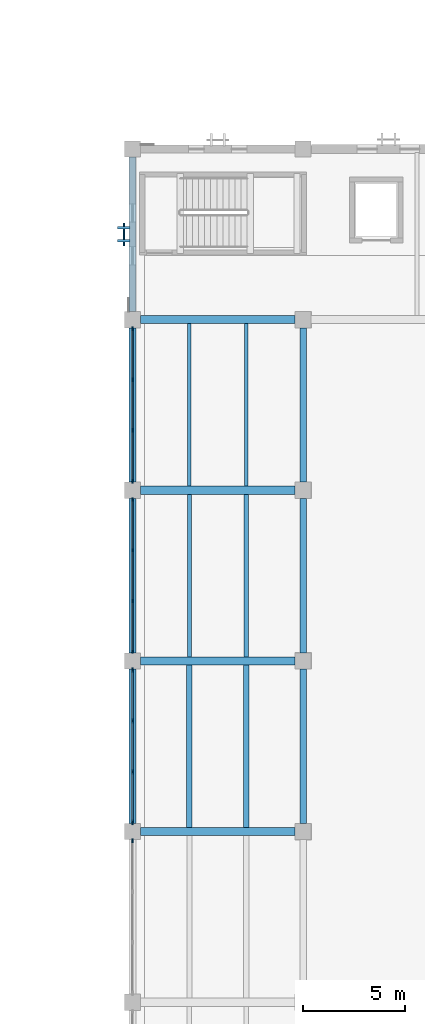
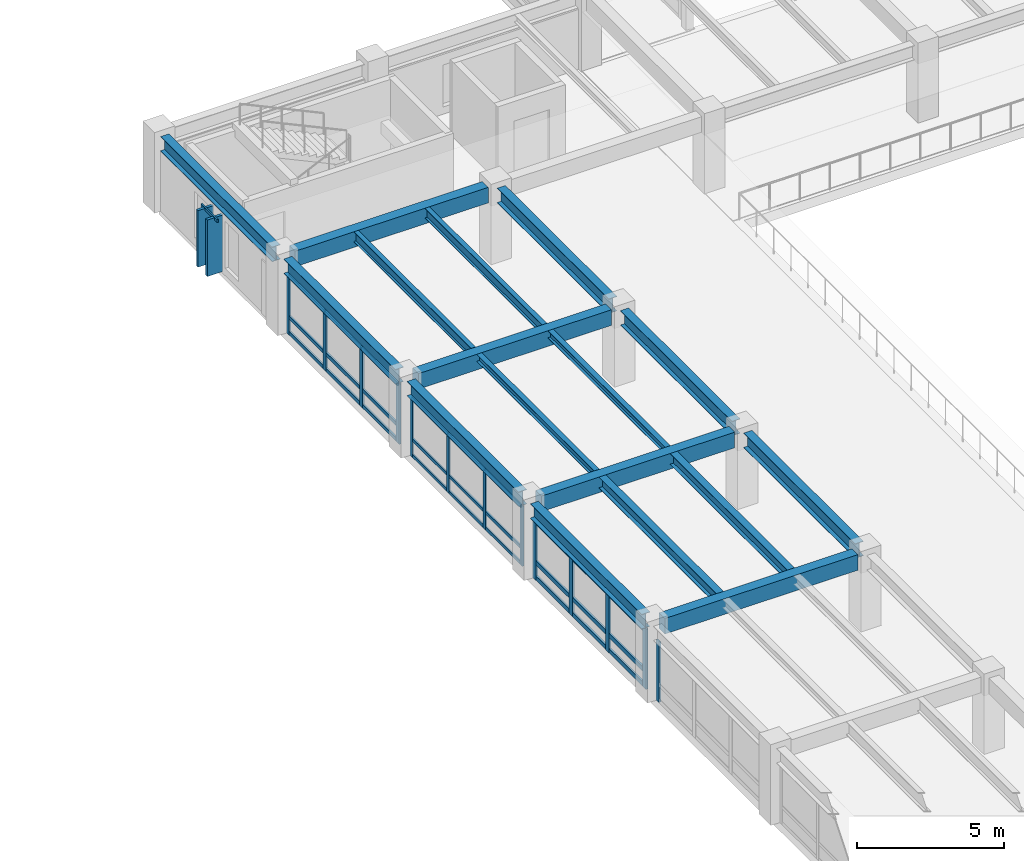
# One storey, part 10 of 123: 43 members, 17 beams, 5 elements without a shape of their own.
"""IFC4 building model written with IfcOpenShell, lengths in metres."""

from ifc_helpers import new_model, si_unit, direction, frame, origin, origin_2d, place, context, subcontext, project, spatial, rectangle, i_section, extrude, material, material_profile, profile_set, type_object, element, aggregate, save


model = new_model("IFC4")

# Units and contexts
model_context = context("Model", 3, precision=1e-05, world=origin(), true_north=direction((0.0, 1.0)))
body_context = subcontext(model_context, "Body", "Model", "MODEL_VIEW")
ifc_project = project(units=[si_unit("LENGTHUNIT", "METRE"), si_unit("AREAUNIT", "SQUARE_METRE"), si_unit("VOLUMEUNIT", "CUBIC_METRE"), si_unit("PLANEANGLEUNIT", "RADIAN"), si_unit("MASSUNIT", "GRAM", prefix="KILO")], contexts=[model_context])

# Site, building, storey
site_placement = place(None, origin())
site = spatial("IfcSite", under=ifc_project, at=site_placement, CompositionType="ELEMENT")
building_placement = place(site_placement, origin())
building = spatial("IfcBuilding", under=site, at=building_placement, Name="Cumbredor Promenade Congress Hotel", CompositionType="ELEMENT")
storey_placement = place(building_placement, frame((0.0, 0.0, 11.760009765625)))
storey = spatial("IfcBuildingStorey", under=building, at=storey_placement, Name="L03", CompositionType="ELEMENT", Elevation=11.760009765625)

# Beams
ifc_material_1 = material(Name="Concrete C40/50", Category="concrete")
ifc_material_profile_1 = material_profile(ifc_material_1, rectangle(XDim=0.39990234375, YDim=0.64990234375, at=origin_2d()), Name="RC BEAM 400x650")
ifc_profile_set_1 = profile_set([ifc_material_profile_1], Name="Concrete C40/50")
beam_type_1 = type_object("IfcBeamType", Name="BM-RC-400x650", PredefinedType="BEAM", material=ifc_profile_set_1)
for number, where, z_axis, x_axis, name in (
    (1, (8.800048828125, 33.60009765625, 2.794921875), (1.0, 0.0, 0.0), (0.0, 1.0, 0.0), "L04 X-Grid Beam 016"),
    (2, (8.800048828125, 42.0, 2.794921875), (1.0, 0.0, 0.0), (0.0, 1.0, 0.0), "L04 X-Grid Beam 018"),
    (3, (8.800048828125, 50.39990234375, 2.794921875), (1.0, 0.0, 0.0), (0.0, 1.0, 0.0), "L04 X-Grid Beam 020"),
    (4, (8.800048828125, 58.800048828125, 2.794921875), (1.0, 0.0, 0.0), (0.0, 1.0, 0.0), "L04 X-Grid Beam 022"),
):
    element("IfcBeam", number, at=place(storey_placement, frame(where, z_axis=z_axis, x_axis=x_axis)), inside=storey, type_object=beam_type_1, Name=name, PredefinedType="BEAM", context=body_context, shape_type="SweptSolid", body=[
        extrude(rectangle(XDim=0.39990234375, YDim=0.64990234375, at=origin_2d()), origin(), (0.0, 0.0, 1.0), 7.599853515625),
    ])

# Curtain wall, members
ifc_material_2 = material(Name="Thermally broken anodized aluminium and low-E glass", Category="aluminium")
curtain_wall_type_1 = type_object("IfcCurtainWallType", Name="Unitised Bronze Curtain Wall CW-01", PredefinedType="NOTDEFINED", material=ifc_material_2)
curtain_wall_1_placement = place(storey_placement, origin())
curtain_wall_1 = element("IfcCurtainWall", 5, at=curtain_wall_1_placement, inside=storey, type_object=curtain_wall_type_1, Name="L03 Plenary Congress Hall West Curtain Wall 5", PredefinedType="NOTDEFINED")
ifc_material_3 = material(Name="Thermally broken anodized aluminium", Category="aluminium")
ifc_material_profile_2 = material_profile(ifc_material_3, rectangle(XDim=0.06494140625, YDim=0.159912109375, at=origin_2d()), Name="ALU MULLION 65x160")
ifc_profile_set_2 = profile_set([ifc_material_profile_2], Name="Thermally broken anodized aluminium")
member_type_1 = type_object("IfcMemberType", Name="Curtain Wall Mullion ML-01", PredefinedType="MULLION", material=ifc_profile_set_2)
member_1_placement = place(storey_placement, frame((8.39990234375, 42.455078125, -0.008056640625), z_axis=(0.0, 0.0, 1.0), x_axis=(1.0, 0.0, 0.0)))
member_1 = element("IfcMember", 6, at=member_1_placement, type_object=member_type_1, Name="L03 Plenary Congress Hall West Curtain Wall 5 Mullion 1", PredefinedType="MULLION", context=body_context, shape_type="SweptSolid", body=[
    extrude(rectangle(XDim=0.06494140625, YDim=0.159912109375, at=origin_2d()), origin(), (0.0, 0.0, 1.0), 2.510009765625),
])
member_2_placement = place(storey_placement, frame((8.39990234375, 44.95166015625, -0.008056640625), z_axis=(0.0, 0.0, 1.0), x_axis=(1.0, 0.0, 0.0)))
member_2 = element("IfcMember", 7, at=member_2_placement, type_object=member_type_1, Name="L03 Plenary Congress Hall West Curtain Wall 5 Mullion 2", PredefinedType="MULLION", context=body_context, shape_type="SweptSolid", body=[
    extrude(rectangle(XDim=0.06494140625, YDim=0.159912109375, at=origin_2d()), origin(), (0.0, 0.0, 1.0), 2.510009765625),
])
member_3_placement = place(storey_placement, frame((8.39990234375, 47.4482421875, -0.008056640625), z_axis=(0.0, 0.0, 1.0), x_axis=(1.0, 0.0, 0.0)))
member_3 = element("IfcMember", 8, at=member_3_placement, type_object=member_type_1, Name="L03 Plenary Congress Hall West Curtain Wall 5 Mullion 3", PredefinedType="MULLION", context=body_context, shape_type="SweptSolid", body=[
    extrude(rectangle(XDim=0.06494140625, YDim=0.159912109375, at=origin_2d()), origin(), (0.0, 0.0, 1.0), 2.510009765625),
])
member_4_placement = place(storey_placement, frame((8.39990234375, 49.945068359375, -0.008056640625), z_axis=(0.0, 0.0, 1.0), x_axis=(1.0, 0.0, 0.0)))
member_4 = element("IfcMember", 9, at=member_4_placement, type_object=member_type_1, Name="L03 Plenary Congress Hall West Curtain Wall 5 Mullion 4", PredefinedType="MULLION", context=body_context, shape_type="SweptSolid", body=[
    extrude(rectangle(XDim=0.06494140625, YDim=0.159912109375, at=origin_2d()), origin(), (0.0, 0.0, 1.0), 2.510009765625),
])

# Curtain wall, member
curtain_wall_2_placement = place(storey_placement, origin())
curtain_wall_2 = element("IfcCurtainWall", 10, at=curtain_wall_2_placement, inside=storey, type_object=curtain_wall_type_1, Name="L03 Plenary Congress Hall West Curtain Wall 3", PredefinedType="NOTDEFINED")
ifc_material_profile_3 = material_profile(ifc_material_3, rectangle(XDim=0.074951171875, YDim=0.199951171875, at=origin_2d()), Name="ALU MULLION 75x200")
ifc_profile_set_3 = profile_set([ifc_material_profile_3], Name="Thermally broken anodized aluminium")
member_type_2 = type_object("IfcMemberType", Name="Curtain Wall Mullion ML-02", PredefinedType="MULLION", material=ifc_profile_set_3)
member_5_placement = place(storey_placement, frame((8.39990234375, 33.14501953125, -0.008056640625), z_axis=(0.0, 0.0, 1.0), x_axis=(1.0, 0.0, 0.0)))
member_5 = element("IfcMember", 11, at=member_5_placement, type_object=member_type_2, Name="L03 Plenary Congress Hall West Curtain Wall 3 Mullion 4", PredefinedType="MULLION", context=body_context, shape_type="SweptSolid", body=[
    extrude(rectangle(XDim=0.074951171875, YDim=0.199951171875, at=origin_2d()), origin(), (0.0, 0.0, 1.0), 2.510009765625),
])
aggregate(curtain_wall_2, [member_5])

# Curtain wall, members
curtain_wall_3_placement = place(storey_placement, origin())
curtain_wall_3 = element("IfcCurtainWall", 12, at=curtain_wall_3_placement, inside=storey, type_object=curtain_wall_type_1, Name="L03 Plenary Congress Hall West Curtain Wall 6", PredefinedType="NOTDEFINED")
member_6_placement = place(storey_placement, frame((8.39990234375, 50.85498046875, -0.008056640625), z_axis=(0.0, 0.0, 1.0), x_axis=(1.0, 0.0, 0.0)))
member_6 = element("IfcMember", 13, at=member_6_placement, type_object=member_type_2, Name="L03 Plenary Congress Hall West Curtain Wall 6 Mullion 1", PredefinedType="MULLION", context=body_context, shape_type="SweptSolid", body=[
    extrude(rectangle(XDim=0.074951171875, YDim=0.199951171875, at=origin_2d()), origin(), (0.0, 0.0, 1.0), 2.510009765625),
])
member_7_placement = place(storey_placement, frame((8.39990234375, 53.351806640625, -0.008056640625), z_axis=(0.0, 0.0, 1.0), x_axis=(1.0, 0.0, 0.0)))
member_7 = element("IfcMember", 14, at=member_7_placement, type_object=member_type_2, Name="L03 Plenary Congress Hall West Curtain Wall 6 Mullion 2", PredefinedType="MULLION", context=body_context, shape_type="SweptSolid", body=[
    extrude(rectangle(XDim=0.074951171875, YDim=0.199951171875, at=origin_2d()), origin(), (0.0, 0.0, 1.0), 2.510009765625),
])
member_8_placement = place(storey_placement, frame((8.39990234375, 55.848388671875, -0.008056640625), z_axis=(0.0, 0.0, 1.0), x_axis=(1.0, 0.0, 0.0)))
member_8 = element("IfcMember", 15, at=member_8_placement, type_object=member_type_2, Name="L03 Plenary Congress Hall West Curtain Wall 6 Mullion 3", PredefinedType="MULLION", context=body_context, shape_type="SweptSolid", body=[
    extrude(rectangle(XDim=0.074951171875, YDim=0.199951171875, at=origin_2d()), origin(), (0.0, 0.0, 1.0), 2.510009765625),
])
member_9_placement = place(storey_placement, frame((8.39990234375, 58.344970703125, -0.008056640625), z_axis=(0.0, 0.0, 1.0), x_axis=(1.0, 0.0, 0.0)))
member_9 = element("IfcMember", 16, at=member_9_placement, type_object=member_type_2, Name="L03 Plenary Congress Hall West Curtain Wall 6 Mullion 4", PredefinedType="MULLION", context=body_context, shape_type="SweptSolid", body=[
    extrude(rectangle(XDim=0.074951171875, YDim=0.199951171875, at=origin_2d()), origin(), (0.0, 0.0, 1.0), 2.510009765625),
])

curtain_wall_4_placement = place(storey_placement, origin())
curtain_wall_4 = element("IfcCurtainWall", 17, at=curtain_wall_4_placement, inside=storey, type_object=curtain_wall_type_1, Name="L03 Plenary Congress Hall West Curtain Wall 4", PredefinedType="NOTDEFINED")
ifc_material_profile_4 = material_profile(ifc_material_3, rectangle(XDim=0.080078125, YDim=0.239990234375, at=origin_2d()), Name="ALU MULLION 80x240")
ifc_profile_set_4 = profile_set([ifc_material_profile_4], Name="Thermally broken anodized aluminium")
member_type_3 = type_object("IfcMemberType", Name="Curtain Wall Mullion ML-03", PredefinedType="MULLION", material=ifc_profile_set_4)
member_10_placement = place(storey_placement, frame((8.39990234375, 34.054931640625, -0.008056640625), z_axis=(0.0, 0.0, 1.0), x_axis=(1.0, 0.0, 0.0)))
member_10 = element("IfcMember", 18, at=member_10_placement, type_object=member_type_3, Name="L03 Plenary Congress Hall West Curtain Wall 4 Mullion 1", PredefinedType="MULLION", context=body_context, shape_type="SweptSolid", body=[
    extrude(rectangle(XDim=0.080078125, YDim=0.239990234375, at=origin_2d()), origin(), (0.0, 0.0, 1.0), 2.510009765625),
])
member_11_placement = place(storey_placement, frame((8.39990234375, 36.5517578125, -0.008056640625), z_axis=(0.0, 0.0, 1.0), x_axis=(1.0, 0.0, 0.0)))
member_11 = element("IfcMember", 19, at=member_11_placement, type_object=member_type_3, Name="L03 Plenary Congress Hall West Curtain Wall 4 Mullion 2", PredefinedType="MULLION", context=body_context, shape_type="SweptSolid", body=[
    extrude(rectangle(XDim=0.080078125, YDim=0.239990234375, at=origin_2d()), origin(), (0.0, 0.0, 1.0), 2.510009765625),
])
member_12_placement = place(storey_placement, frame((8.39990234375, 39.04833984375, -0.008056640625), z_axis=(0.0, 0.0, 1.0), x_axis=(1.0, 0.0, 0.0)))
member_12 = element("IfcMember", 20, at=member_12_placement, type_object=member_type_3, Name="L03 Plenary Congress Hall West Curtain Wall 4 Mullion 3", PredefinedType="MULLION", context=body_context, shape_type="SweptSolid", body=[
    extrude(rectangle(XDim=0.080078125, YDim=0.239990234375, at=origin_2d()), origin(), (0.0, 0.0, 1.0), 2.510009765625),
])
member_13_placement = place(storey_placement, frame((8.39990234375, 41.544921875, -0.008056640625), z_axis=(0.0, 0.0, 1.0), x_axis=(1.0, 0.0, 0.0)))
member_13 = element("IfcMember", 21, at=member_13_placement, type_object=member_type_3, Name="L03 Plenary Congress Hall West Curtain Wall 4 Mullion 4", PredefinedType="MULLION", context=body_context, shape_type="SweptSolid", body=[
    extrude(rectangle(XDim=0.080078125, YDim=0.239990234375, at=origin_2d()), origin(), (0.0, 0.0, 1.0), 2.510009765625),
])

# Member
ifc_material_profile_5 = material_profile(ifc_material_3, rectangle(XDim=0.06494140625, YDim=0.1298828125, at=origin_2d()), Name="ALU TRANSOM 65x130")
ifc_profile_set_5 = profile_set([ifc_material_profile_5], Name="Thermally broken anodized aluminium")
member_type_4 = type_object("IfcMemberType", Name="Curtain Wall Transom TR-01", PredefinedType="USERDEFINED", material=ifc_profile_set_5)
member_14_placement = place(storey_placement, frame((8.39990234375, 42.487548828125, 0.06005859375), z_axis=(0.0, 1.0, 0.0), x_axis=(-1.0, 0.0, 0.0)))
member_14 = element("IfcMember", 22, at=member_14_placement, type_object=member_type_4, Name="L03 Plenary Congress Hall West Curtain Wall 5 Transom 1.1", ObjectType="TRANSOM", PredefinedType="USERDEFINED", context=body_context, shape_type="SweptSolid", body=[
    extrude(rectangle(XDim=0.06494140625, YDim=0.1298828125, at=origin_2d()), origin(), (0.0, 0.0, 1.0), 2.431640625),
])

member_15_placement = place(storey_placement, frame((8.39990234375, 42.487548828125, 0.719970703125), z_axis=(0.0, 1.0, 0.0), x_axis=(-1.0, 0.0, 0.0)))
member_15 = element("IfcMember", 23, at=member_15_placement, type_object=member_type_4, Name="L03 Plenary Congress Hall West Curtain Wall 5 Transom 1.2", ObjectType="TRANSOM", PredefinedType="USERDEFINED", context=body_context, shape_type="SweptSolid", body=[
    extrude(rectangle(XDim=0.06494140625, YDim=0.1298828125, at=origin_2d()), origin(), (0.0, 0.0, 1.0), 2.431640625),
])

member_16_placement = place(storey_placement, frame((8.39990234375, 42.487548828125, 2.429931640625), z_axis=(0.0, 1.0, 0.0), x_axis=(-1.0, 0.0, 0.0)))
member_16 = element("IfcMember", 24, at=member_16_placement, type_object=member_type_4, Name="L03 Plenary Congress Hall West Curtain Wall 5 Transom 1.3", ObjectType="TRANSOM", PredefinedType="USERDEFINED", context=body_context, shape_type="SweptSolid", body=[
    extrude(rectangle(XDim=0.06494140625, YDim=0.1298828125, at=origin_2d()), origin(), (0.0, 0.0, 1.0), 2.431640625),
])

member_17_placement = place(storey_placement, frame((8.39990234375, 44.984130859375, 0.06005859375), z_axis=(0.0, 1.0, 0.0), x_axis=(-1.0, 0.0, 0.0)))
member_17 = element("IfcMember", 25, at=member_17_placement, type_object=member_type_4, Name="L03 Plenary Congress Hall West Curtain Wall 5 Transom 2.1", ObjectType="TRANSOM", PredefinedType="USERDEFINED", context=body_context, shape_type="SweptSolid", body=[
    extrude(rectangle(XDim=0.06494140625, YDim=0.1298828125, at=origin_2d()), origin(), (0.0, 0.0, 1.0), 2.431640625),
])

member_18_placement = place(storey_placement, frame((8.39990234375, 44.984130859375, 0.719970703125), z_axis=(0.0, 1.0, 0.0), x_axis=(-1.0, 0.0, 0.0)))
member_18 = element("IfcMember", 26, at=member_18_placement, type_object=member_type_4, Name="L03 Plenary Congress Hall West Curtain Wall 5 Transom 2.2", ObjectType="TRANSOM", PredefinedType="USERDEFINED", context=body_context, shape_type="SweptSolid", body=[
    extrude(rectangle(XDim=0.06494140625, YDim=0.1298828125, at=origin_2d()), origin(), (0.0, 0.0, 1.0), 2.431640625),
])

member_19_placement = place(storey_placement, frame((8.39990234375, 44.984130859375, 2.429931640625), z_axis=(0.0, 1.0, 0.0), x_axis=(-1.0, 0.0, 0.0)))
member_19 = element("IfcMember", 27, at=member_19_placement, type_object=member_type_4, Name="L03 Plenary Congress Hall West Curtain Wall 5 Transom 2.3", ObjectType="TRANSOM", PredefinedType="USERDEFINED", context=body_context, shape_type="SweptSolid", body=[
    extrude(rectangle(XDim=0.06494140625, YDim=0.1298828125, at=origin_2d()), origin(), (0.0, 0.0, 1.0), 2.431640625),
])

member_20_placement = place(storey_placement, frame((8.39990234375, 47.480712890625, 0.06005859375), z_axis=(0.0, 1.0, 0.0), x_axis=(-1.0, 0.0, 0.0)))
member_20 = element("IfcMember", 28, at=member_20_placement, type_object=member_type_4, Name="L03 Plenary Congress Hall West Curtain Wall 5 Transom 3.1", ObjectType="TRANSOM", PredefinedType="USERDEFINED", context=body_context, shape_type="SweptSolid", body=[
    extrude(rectangle(XDim=0.06494140625, YDim=0.1298828125, at=origin_2d()), origin(), (0.0, 0.0, 1.0), 2.431884765625),
])

member_21_placement = place(storey_placement, frame((8.39990234375, 47.480712890625, 0.719970703125), z_axis=(0.0, 1.0, 0.0), x_axis=(-1.0, 0.0, 0.0)))
member_21 = element("IfcMember", 29, at=member_21_placement, type_object=member_type_4, Name="L03 Plenary Congress Hall West Curtain Wall 5 Transom 3.2", ObjectType="TRANSOM", PredefinedType="USERDEFINED", context=body_context, shape_type="SweptSolid", body=[
    extrude(rectangle(XDim=0.06494140625, YDim=0.1298828125, at=origin_2d()), origin(), (0.0, 0.0, 1.0), 2.431884765625),
])

member_22_placement = place(storey_placement, frame((8.39990234375, 47.480712890625, 2.429931640625), z_axis=(0.0, 1.0, 0.0), x_axis=(-1.0, 0.0, 0.0)))
member_22 = element("IfcMember", 30, at=member_22_placement, type_object=member_type_4, Name="L03 Plenary Congress Hall West Curtain Wall 5 Transom 3.3", ObjectType="TRANSOM", PredefinedType="USERDEFINED", context=body_context, shape_type="SweptSolid", body=[
    extrude(rectangle(XDim=0.06494140625, YDim=0.1298828125, at=origin_2d()), origin(), (0.0, 0.0, 1.0), 2.431884765625),
])

aggregate(curtain_wall_1, [member_1, member_2, member_3, member_4, member_14, member_15, member_16, member_17, member_18, member_19, member_20, member_21, member_22])

# Curtain wall, member
curtain_wall_type_2 = type_object("IfcCurtainWallType", Name="Solar Brise-Soleil Screen Assembly CW-07", PredefinedType="NOTDEFINED", material=ifc_material_2)
curtain_wall_5_placement = place(storey_placement, origin())
curtain_wall_5 = element("IfcCurtainWall", 31, at=curtain_wall_5_placement, inside=storey, type_object=curtain_wall_type_2, Name="L03 Pier Brise-Soleil Screen 0550", PredefinedType="NOTDEFINED")
member_23_placement = place(storey_placement, frame((7.9775390625, 62.449951171875, 2.333984375), z_axis=(0.0, 1.0, 0.0), x_axis=(-1.0, 0.0, 0.0)))
member_23 = element("IfcMember", 32, at=member_23_placement, type_object=member_type_4, Name="L03 Pier Brise-Soleil Header 0552", ObjectType="TRANSOM", PredefinedType="USERDEFINED", context=body_context, shape_type="SweptSolid", body=[
    extrude(rectangle(XDim=0.06494140625, YDim=0.1298828125, at=origin_2d()), origin(), (0.0, 0.0, 1.0), 1.10009765625),
])

# Member
ifc_material_profile_6 = material_profile(ifc_material_3, rectangle(XDim=0.074951171875, YDim=0.14990234375, at=origin_2d()), Name="ALU TRANSOM 75x150")
ifc_profile_set_6 = profile_set([ifc_material_profile_6], Name="Thermally broken anodized aluminium")
member_type_5 = type_object("IfcMemberType", Name="Curtain Wall Transom TR-02", PredefinedType="USERDEFINED", material=ifc_profile_set_6)
member_24_placement = place(storey_placement, frame((8.39990234375, 50.892578125, 0.070068359375), z_axis=(0.0, 1.0, 0.0), x_axis=(-1.0, 0.0, 0.0)))
member_24 = element("IfcMember", 33, at=member_24_placement, type_object=member_type_5, Name="L03 Plenary Congress Hall West Curtain Wall 6 Transom 1.1", ObjectType="TRANSOM", PredefinedType="USERDEFINED", context=body_context, shape_type="SweptSolid", body=[
    extrude(rectangle(XDim=0.074951171875, YDim=0.14990234375, at=origin_2d()), origin(), (0.0, 0.0, 1.0), 2.421630859375),
])

member_25_placement = place(storey_placement, frame((8.39990234375, 50.892578125, 0.719970703125), z_axis=(0.0, 1.0, 0.0), x_axis=(-1.0, 0.0, 0.0)))
member_25 = element("IfcMember", 34, at=member_25_placement, type_object=member_type_5, Name="L03 Plenary Congress Hall West Curtain Wall 6 Transom 1.2", ObjectType="TRANSOM", PredefinedType="USERDEFINED", context=body_context, shape_type="SweptSolid", body=[
    extrude(rectangle(XDim=0.074951171875, YDim=0.14990234375, at=origin_2d()), origin(), (0.0, 0.0, 1.0), 2.421630859375),
])

member_26_placement = place(storey_placement, frame((8.39990234375, 50.892578125, 2.419921875), z_axis=(0.0, 1.0, 0.0), x_axis=(-1.0, 0.0, 0.0)))
member_26 = element("IfcMember", 35, at=member_26_placement, type_object=member_type_5, Name="L03 Plenary Congress Hall West Curtain Wall 6 Transom 1.3", ObjectType="TRANSOM", PredefinedType="USERDEFINED", context=body_context, shape_type="SweptSolid", body=[
    extrude(rectangle(XDim=0.074951171875, YDim=0.14990234375, at=origin_2d()), origin(), (0.0, 0.0, 1.0), 2.421630859375),
])

member_27_placement = place(storey_placement, frame((8.39990234375, 53.38916015625, 0.070068359375), z_axis=(0.0, 1.0, 0.0), x_axis=(-1.0, 0.0, 0.0)))
member_27 = element("IfcMember", 36, at=member_27_placement, type_object=member_type_5, Name="L03 Plenary Congress Hall West Curtain Wall 6 Transom 2.1", ObjectType="TRANSOM", PredefinedType="USERDEFINED", context=body_context, shape_type="SweptSolid", body=[
    extrude(rectangle(XDim=0.074951171875, YDim=0.14990234375, at=origin_2d()), origin(), (0.0, 0.0, 1.0), 2.421630859375),
])

member_28_placement = place(storey_placement, frame((8.39990234375, 53.38916015625, 0.719970703125), z_axis=(0.0, 1.0, 0.0), x_axis=(-1.0, 0.0, 0.0)))
member_28 = element("IfcMember", 37, at=member_28_placement, type_object=member_type_5, Name="L03 Plenary Congress Hall West Curtain Wall 6 Transom 2.2", ObjectType="TRANSOM", PredefinedType="USERDEFINED", context=body_context, shape_type="SweptSolid", body=[
    extrude(rectangle(XDim=0.074951171875, YDim=0.14990234375, at=origin_2d()), origin(), (0.0, 0.0, 1.0), 2.421630859375),
])

member_29_placement = place(storey_placement, frame((8.39990234375, 53.38916015625, 2.419921875), z_axis=(0.0, 1.0, 0.0), x_axis=(-1.0, 0.0, 0.0)))
member_29 = element("IfcMember", 38, at=member_29_placement, type_object=member_type_5, Name="L03 Plenary Congress Hall West Curtain Wall 6 Transom 2.3", ObjectType="TRANSOM", PredefinedType="USERDEFINED", context=body_context, shape_type="SweptSolid", body=[
    extrude(rectangle(XDim=0.074951171875, YDim=0.14990234375, at=origin_2d()), origin(), (0.0, 0.0, 1.0), 2.421630859375),
])

member_30_placement = place(storey_placement, frame((8.39990234375, 55.8857421875, 0.070068359375), z_axis=(0.0, 1.0, 0.0), x_axis=(-1.0, 0.0, 0.0)))
member_30 = element("IfcMember", 39, at=member_30_placement, type_object=member_type_5, Name="L03 Plenary Congress Hall West Curtain Wall 6 Transom 3.1", ObjectType="TRANSOM", PredefinedType="USERDEFINED", context=body_context, shape_type="SweptSolid", body=[
    extrude(rectangle(XDim=0.074951171875, YDim=0.14990234375, at=origin_2d()), origin(), (0.0, 0.0, 1.0), 2.421875),
])

member_31_placement = place(storey_placement, frame((8.39990234375, 55.8857421875, 0.719970703125), z_axis=(0.0, 1.0, 0.0), x_axis=(-1.0, 0.0, 0.0)))
member_31 = element("IfcMember", 40, at=member_31_placement, type_object=member_type_5, Name="L03 Plenary Congress Hall West Curtain Wall 6 Transom 3.2", ObjectType="TRANSOM", PredefinedType="USERDEFINED", context=body_context, shape_type="SweptSolid", body=[
    extrude(rectangle(XDim=0.074951171875, YDim=0.14990234375, at=origin_2d()), origin(), (0.0, 0.0, 1.0), 2.421875),
])

member_32_placement = place(storey_placement, frame((8.39990234375, 55.8857421875, 2.419921875), z_axis=(0.0, 1.0, 0.0), x_axis=(-1.0, 0.0, 0.0)))
member_32 = element("IfcMember", 41, at=member_32_placement, type_object=member_type_5, Name="L03 Plenary Congress Hall West Curtain Wall 6 Transom 3.3", ObjectType="TRANSOM", PredefinedType="USERDEFINED", context=body_context, shape_type="SweptSolid", body=[
    extrude(rectangle(XDim=0.074951171875, YDim=0.14990234375, at=origin_2d()), origin(), (0.0, 0.0, 1.0), 2.421875),
])

aggregate(curtain_wall_3, [member_6, member_7, member_8, member_9, member_24, member_25, member_26, member_27, member_28, member_29, member_30, member_31, member_32])

ifc_material_profile_7 = material_profile(ifc_material_3, rectangle(XDim=0.080078125, YDim=0.179931640625, at=origin_2d()), Name="ALU TRANSOM 80x180")
ifc_profile_set_7 = profile_set([ifc_material_profile_7], Name="Thermally broken anodized aluminium")
member_type_6 = type_object("IfcMemberType", Name="Curtain Wall Transom TR-03", PredefinedType="USERDEFINED", material=ifc_profile_set_7)
member_33_placement = place(storey_placement, frame((8.39990234375, 34.094970703125, 0.090087890625), z_axis=(0.0, 1.0, 0.0), x_axis=(-1.0, 0.0, 0.0)))
member_33 = element("IfcMember", 42, at=member_33_placement, type_object=member_type_6, Name="L03 Plenary Congress Hall West Curtain Wall 4 Transom 1.1", ObjectType="TRANSOM", PredefinedType="USERDEFINED", context=body_context, shape_type="SweptSolid", body=[
    extrude(rectangle(XDim=0.080078125, YDim=0.179931640625, at=origin_2d()), origin(), (0.0, 0.0, 1.0), 2.416748046875),
])

member_34_placement = place(storey_placement, frame((8.39990234375, 34.094970703125, 0.719970703125), z_axis=(0.0, 1.0, 0.0), x_axis=(-1.0, 0.0, 0.0)))
member_34 = element("IfcMember", 43, at=member_34_placement, type_object=member_type_6, Name="L03 Plenary Congress Hall West Curtain Wall 4 Transom 1.2", ObjectType="TRANSOM", PredefinedType="USERDEFINED", context=body_context, shape_type="SweptSolid", body=[
    extrude(rectangle(XDim=0.080078125, YDim=0.179931640625, at=origin_2d()), origin(), (0.0, 0.0, 1.0), 2.416748046875),
])

member_35_placement = place(storey_placement, frame((8.39990234375, 34.094970703125, 2.39990234375), z_axis=(0.0, 1.0, 0.0), x_axis=(-1.0, 0.0, 0.0)))
member_35 = element("IfcMember", 44, at=member_35_placement, type_object=member_type_6, Name="L03 Plenary Congress Hall West Curtain Wall 4 Transom 1.3", ObjectType="TRANSOM", PredefinedType="USERDEFINED", context=body_context, shape_type="SweptSolid", body=[
    extrude(rectangle(XDim=0.080078125, YDim=0.179931640625, at=origin_2d()), origin(), (0.0, 0.0, 1.0), 2.416748046875),
])

member_36_placement = place(storey_placement, frame((8.39990234375, 36.591796875, 0.090087890625), z_axis=(0.0, 1.0, 0.0), x_axis=(-1.0, 0.0, 0.0)))
member_36 = element("IfcMember", 45, at=member_36_placement, type_object=member_type_6, Name="L03 Plenary Congress Hall West Curtain Wall 4 Transom 2.1", ObjectType="TRANSOM", PredefinedType="USERDEFINED", context=body_context, shape_type="SweptSolid", body=[
    extrude(rectangle(XDim=0.080078125, YDim=0.179931640625, at=origin_2d()), origin(), (0.0, 0.0, 1.0), 2.41650390625),
])

member_37_placement = place(storey_placement, frame((8.39990234375, 36.591796875, 0.719970703125), z_axis=(0.0, 1.0, 0.0), x_axis=(-1.0, 0.0, 0.0)))
member_37 = element("IfcMember", 46, at=member_37_placement, type_object=member_type_6, Name="L03 Plenary Congress Hall West Curtain Wall 4 Transom 2.2", ObjectType="TRANSOM", PredefinedType="USERDEFINED", context=body_context, shape_type="SweptSolid", body=[
    extrude(rectangle(XDim=0.080078125, YDim=0.179931640625, at=origin_2d()), origin(), (0.0, 0.0, 1.0), 2.41650390625),
])

member_38_placement = place(storey_placement, frame((8.39990234375, 36.591796875, 2.39990234375), z_axis=(0.0, 1.0, 0.0), x_axis=(-1.0, 0.0, 0.0)))
member_38 = element("IfcMember", 47, at=member_38_placement, type_object=member_type_6, Name="L03 Plenary Congress Hall West Curtain Wall 4 Transom 2.3", ObjectType="TRANSOM", PredefinedType="USERDEFINED", context=body_context, shape_type="SweptSolid", body=[
    extrude(rectangle(XDim=0.080078125, YDim=0.179931640625, at=origin_2d()), origin(), (0.0, 0.0, 1.0), 2.41650390625),
])

member_39_placement = place(storey_placement, frame((8.39990234375, 39.08837890625, 0.090087890625), z_axis=(0.0, 1.0, 0.0), x_axis=(-1.0, 0.0, 0.0)))
member_39 = element("IfcMember", 48, at=member_39_placement, type_object=member_type_6, Name="L03 Plenary Congress Hall West Curtain Wall 4 Transom 3.1", ObjectType="TRANSOM", PredefinedType="USERDEFINED", context=body_context, shape_type="SweptSolid", body=[
    extrude(rectangle(XDim=0.080078125, YDim=0.179931640625, at=origin_2d()), origin(), (0.0, 0.0, 1.0), 2.41650390625),
])

member_40_placement = place(storey_placement, frame((8.39990234375, 39.08837890625, 0.719970703125), z_axis=(0.0, 1.0, 0.0), x_axis=(-1.0, 0.0, 0.0)))
member_40 = element("IfcMember", 49, at=member_40_placement, type_object=member_type_6, Name="L03 Plenary Congress Hall West Curtain Wall 4 Transom 3.2", ObjectType="TRANSOM", PredefinedType="USERDEFINED", context=body_context, shape_type="SweptSolid", body=[
    extrude(rectangle(XDim=0.080078125, YDim=0.179931640625, at=origin_2d()), origin(), (0.0, 0.0, 1.0), 2.41650390625),
])

member_41_placement = place(storey_placement, frame((8.39990234375, 39.08837890625, 2.39990234375), z_axis=(0.0, 1.0, 0.0), x_axis=(-1.0, 0.0, 0.0)))
member_41 = element("IfcMember", 50, at=member_41_placement, type_object=member_type_6, Name="L03 Plenary Congress Hall West Curtain Wall 4 Transom 3.3", ObjectType="TRANSOM", PredefinedType="USERDEFINED", context=body_context, shape_type="SweptSolid", body=[
    extrude(rectangle(XDim=0.080078125, YDim=0.179931640625, at=origin_2d()), origin(), (0.0, 0.0, 1.0), 2.41650390625),
])

aggregate(curtain_wall_4, [member_10, member_11, member_12, member_13, member_33, member_34, member_35, member_36, member_37, member_38, member_39, member_40, member_41])

# Beams
ifc_material_4 = material(Name="Steel ASTM A992 Grade 50", Category="steel")
ifc_material_profile_8 = material_profile(ifc_material_4, i_section(OverallWidth=0.202880859375, OverallDepth=0.302978515625, WebThickness=0.007568359375, FlangeThickness=0.01318359375, at=origin_2d()), Name="W12X40")
ifc_profile_set_8 = profile_set([ifc_material_profile_8], Name="Steel ASTM A992 Grade 50")
beam_type_2 = type_object("IfcBeamType", Name="JST-W12X40", PredefinedType="JOIST", material=ifc_profile_set_8)
for number, where, z_axis, x_axis, name in (
    (51, (11.199951171875, 42.199951171875, 2.968505859375), (0.0, 1.0, 0.0), (-1.0, 0.0, 0.0), "L04 Secondary Floor Joist 0015"),
    (52, (14.0, 42.199951171875, 2.968505859375), (0.0, 1.0, 0.0), (-1.0, 0.0, 0.0), "L04 Secondary Floor Joist 0016"),
):
    element("IfcBeam", number, at=place(storey_placement, frame(where, z_axis=z_axis, x_axis=x_axis)), inside=storey, type_object=beam_type_2, Name=name, PredefinedType="JOIST", context=body_context, shape_type="SweptSolid", body=[
        extrude(i_section(OverallWidth=0.202880859375, OverallDepth=0.302978515625, WebThickness=0.007568359375, FlangeThickness=0.01318359375, at=origin_2d()), origin(), (0.0, 0.0, 1.0), 8.0),
    ])
ifc_material_profile_9 = material_profile(ifc_material_4, i_section(OverallWidth=0.180908203125, OverallDepth=0.4169921875, WebThickness=0.010986328125, FlangeThickness=0.018310546875, at=origin_2d()), Name="W16X57")
ifc_profile_set_9 = profile_set([ifc_material_profile_9], Name="Steel ASTM A992 Grade 50")
beam_type_3 = type_object("IfcBeamType", Name="JST-W16X57", PredefinedType="JOIST", material=ifc_profile_set_9)
for number, where, z_axis, x_axis, name in (
    (53, (11.199951171875, 50.60009765625, 2.911376953125), (0.0, 1.0, 0.0), (-1.0, 0.0, 0.0), "L04 Secondary Floor Joist 0017"),
    (54, (14.0, 50.60009765625, 2.911376953125), (0.0, 1.0, 0.0), (-1.0, 0.0, 0.0), "L04 Secondary Floor Joist 0018"),
):
    element("IfcBeam", number, at=place(storey_placement, frame(where, z_axis=z_axis, x_axis=x_axis)), inside=storey, type_object=beam_type_3, Name=name, PredefinedType="JOIST", context=body_context, shape_type="SweptSolid", body=[
        extrude(i_section(OverallWidth=0.180908203125, OverallDepth=0.4169921875, WebThickness=0.010986328125, FlangeThickness=0.018310546875, at=origin_2d()), origin(), (0.0, 0.0, 1.0), 8.0),
    ])
ifc_material_profile_10 = material_profile(ifc_material_4, i_section(OverallWidth=0.280029296875, OverallDepth=0.462890625, WebThickness=0.0107421875, FlangeThickness=0.017333984375, at=origin_2d()), Name="W18X76")
ifc_profile_set_10 = profile_set([ifc_material_profile_10], Name="Steel ASTM A992 Grade 50")
beam_type_4 = type_object("IfcBeamType", Name="JST-W18X76", PredefinedType="JOIST", material=ifc_profile_set_10)
for number, where, z_axis, x_axis, name in (
    (55, (11.199951171875, 33.800048828125, 2.888427734375), (0.0, 1.0, 0.0), (-1.0, 0.0, 0.0), "L04 Secondary Floor Joist 0013"),
    (56, (14.0, 33.800048828125, 2.888427734375), (0.0, 1.0, 0.0), (-1.0, 0.0, 0.0), "L04 Secondary Floor Joist 0014"),
):
    element("IfcBeam", number, at=place(storey_placement, frame(where, z_axis=z_axis, x_axis=x_axis)), inside=storey, type_object=beam_type_4, Name=name, PredefinedType="JOIST", context=body_context, shape_type="SweptSolid", body=[
        extrude(i_section(OverallWidth=0.280029296875, OverallDepth=0.462890625, WebThickness=0.0107421875, FlangeThickness=0.017333984375, at=origin_2d()), origin(), (0.0, 0.0, 1.0), 8.0),
    ])
ifc_material_profile_11 = material_profile(ifc_material_4, i_section(OverallWidth=0.323974609375, OverallDepth=0.611083984375, WebThickness=0.0126953125, FlangeThickness=0.01904296875, at=origin_2d()), Name="W24X104")
ifc_profile_set_11 = profile_set([ifc_material_profile_11], Name="Steel ASTM A992 Grade 50")
beam_type_5 = type_object("IfcBeamType", Name="SP-W24X104", PredefinedType="SPANDREL", material=ifc_profile_set_11)
for number, where, z_axis, x_axis, name in (
    (57, (8.39990234375, 34.0, 2.814453125), (0.0, 1.0, 0.0), (-1.0, 0.0, 0.0), "L04 Y-Grid Beam 017"),
    (58, (8.39990234375, 42.39990234375, 2.814453125), (0.0, 1.0, 0.0), (-1.0, 0.0, 0.0), "L04 Y-Grid Beam 019"),
):
    element("IfcBeam", number, at=place(storey_placement, frame(where, z_axis=z_axis, x_axis=x_axis)), inside=storey, type_object=beam_type_5, Name=name, PredefinedType="SPANDREL", context=body_context, shape_type="SweptSolid", body=[
        extrude(i_section(OverallWidth=0.323974609375, OverallDepth=0.611083984375, WebThickness=0.0126953125, FlangeThickness=0.01904296875, at=origin_2d()), origin(), (0.0, 0.0, 1.0), 7.60009765625),
    ])
beam_1_placement = place(storey_placement, frame((8.39990234375, 50.800048828125, 2.814453125), z_axis=(0.0, 1.0, 0.0), x_axis=(-1.0, 0.0, 0.0)))
element("IfcBeam", 59, at=beam_1_placement, inside=storey, type_object=beam_type_5, Name="L04 Y-Grid Beam 021", PredefinedType="SPANDREL", context=body_context, shape_type="SweptSolid", body=[
    extrude(i_section(OverallWidth=0.323974609375, OverallDepth=0.611083984375, WebThickness=0.0126953125, FlangeThickness=0.01904296875, at=origin_2d()), origin(), (0.0, 0.0, 1.0), 7.599853515625),
])
for number, where, z_axis, x_axis, name in (
    (60, (8.39990234375, 59.199951171875, 2.814453125), (0.0, 1.0, 0.0), (-1.0, 0.0, 0.0), "L04 Y-Grid Beam 023"),
    (61, (16.800048828125, 34.0, 2.814453125), (0.0, 1.0, 0.0), (-1.0, 0.0, 0.0), "L04 Y-Grid Beam 038"),
    (62, (16.800048828125, 42.39990234375, 2.814453125), (0.0, 1.0, 0.0), (-1.0, 0.0, 0.0), "L04 Y-Grid Beam 039"),
):
    element("IfcBeam", number, at=place(storey_placement, frame(where, z_axis=z_axis, x_axis=x_axis)), inside=storey, type_object=beam_type_5, Name=name, PredefinedType="SPANDREL", context=body_context, shape_type="SweptSolid", body=[
        extrude(i_section(OverallWidth=0.323974609375, OverallDepth=0.611083984375, WebThickness=0.0126953125, FlangeThickness=0.01904296875, at=origin_2d()), origin(), (0.0, 0.0, 1.0), 7.60009765625),
    ])
beam_2_placement = place(storey_placement, frame((16.800048828125, 50.800048828125, 2.814453125), z_axis=(0.0, 1.0, 0.0), x_axis=(-1.0, 0.0, 0.0)))
element("IfcBeam", 63, at=beam_2_placement, inside=storey, type_object=beam_type_5, Name="L04 Y-Grid Beam 040", PredefinedType="SPANDREL", context=body_context, shape_type="SweptSolid", body=[
    extrude(i_section(OverallWidth=0.323974609375, OverallDepth=0.611083984375, WebThickness=0.0126953125, FlangeThickness=0.01904296875, at=origin_2d()), origin(), (0.0, 0.0, 1.0), 7.599853515625),
])

# Member
ifc_material_profile_12 = material_profile(ifc_material_3, rectangle(XDim=0.110107421875, YDim=0.6201171875, at=origin_2d()), Name="ARCH FIN 110x620")
ifc_profile_set_12 = profile_set([ifc_material_profile_12], Name="Thermally broken anodized aluminium")
member_type_7 = type_object("IfcMemberType", Name="Vertical Bronze Brise-Soleil Fin BSF-02 110x620", PredefinedType="USERDEFINED", material=ifc_profile_set_12)
member_42_placement = place(storey_placement, frame((7.9775390625, 62.679931640625, 0.02001953125), z_axis=(0.0, 0.0, 1.0), x_axis=(0.0, 1.0, 0.0)))
member_42 = element("IfcMember", 64, at=member_42_placement, type_object=member_type_7, Name="L03 Pier Brise-Soleil Fin 0551", ObjectType="SOLAR FIN", PredefinedType="USERDEFINED", context=body_context, shape_type="SweptSolid", body=[
    extrude(rectangle(XDim=0.110107421875, YDim=0.6201171875, at=origin_2d()), origin(), (0.0, 0.0, 1.0), 2.35400390625),
])

member_43_placement = place(storey_placement, frame((7.9775390625, 63.320068359375, 0.02001953125), z_axis=(0.0, 0.0, 1.0), x_axis=(0.0, 1.0, 0.0)))
member_43 = element("IfcMember", 65, at=member_43_placement, type_object=member_type_7, Name="L03 Pier Brise-Soleil Fin 0552", ObjectType="SOLAR FIN", PredefinedType="USERDEFINED", context=body_context, shape_type="SweptSolid", body=[
    extrude(rectangle(XDim=0.110107421875, YDim=0.6201171875, at=origin_2d()), origin(), (0.0, 0.0, 1.0), 2.35400390625),
])

aggregate(curtain_wall_5, [member_42, member_43, member_23])

save(model, "model.ifc")
